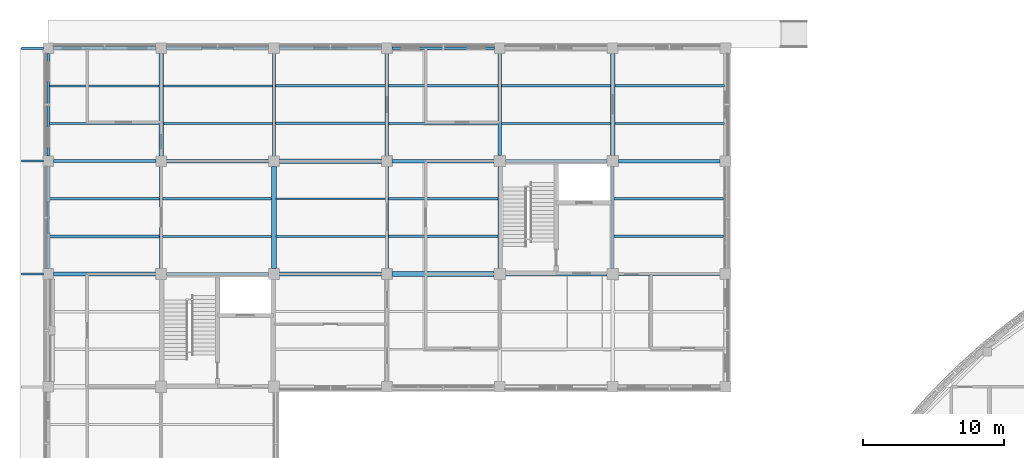
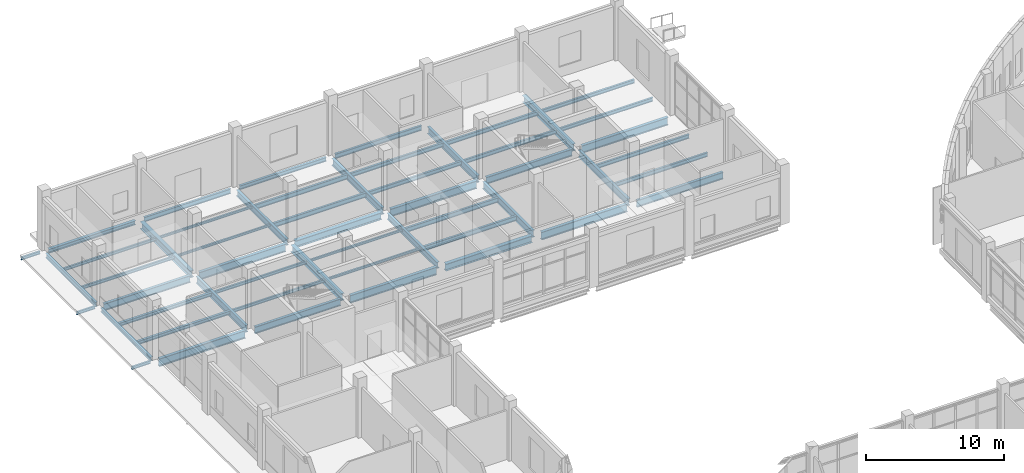
# One storey, part 28 of 105: 53 beams.
"""IFC4 building model written with IfcOpenShell, lengths in metres."""

from ifc_helpers import new_model, si_unit, derived_unit, direction, frame, origin, origin_2d, place, context, subcontext, project, spatial, i_section, extrude, material, material_profile, profile_set, type_object, element, save


model = new_model("IFC4")

# Units and contexts
model_context = context("Model", 3, precision=1e-05, world=origin(), true_north=direction((0.0, 1.0)))
body_context = subcontext(model_context, "Body", "Model", "MODEL_VIEW")
ifc_project = project(units=[si_unit("LENGTHUNIT", "METRE"), si_unit("AREAUNIT", "SQUARE_METRE"), si_unit("VOLUMEUNIT", "CUBIC_METRE"), si_unit("PLANEANGLEUNIT", "RADIAN"), si_unit("MASSUNIT", "GRAM", prefix="KILO"), derived_unit("THERMALTRANSMITTANCEUNIT", [(si_unit("MASSUNIT", "GRAM", prefix="KILO"), 1), (si_unit("TIMEUNIT", "SECOND"), -3), (si_unit("THERMODYNAMICTEMPERATUREUNIT", "KELVIN"), -1)])], contexts=[model_context])

# Site, building, storey
site_placement = place(None, origin())
site = spatial("IfcSite", under=ifc_project, at=site_placement, CompositionType="ELEMENT")
building_placement = place(site_placement, origin())
building = spatial("IfcBuilding", under=site, at=building_placement, Name="Veyamyaing Civic Hall", CompositionType="ELEMENT")
storey_placement = place(building_placement, origin())
storey = spatial("IfcBuildingStorey", under=building, at=storey_placement, Name="L00", CompositionType="ELEMENT", Elevation=0.0)

# Beams
ifc_material = material(Name="Steel ASTM A992", Category="steel")
ifc_material_profile_1 = material_profile(ifc_material, i_section(OverallWidth=0.256103515625, OverallDepth=0.693115234375, WebThickness=0.014404296875, FlangeThickness=0.023681640625, FilletRadius=0.013916015625, at=origin_2d()), Name="W690X170")
ifc_profile_set_1 = profile_set([ifc_material_profile_1], Name="Steel ASTM A992")
beam_type_1 = type_object("IfcBeamType", Name="B-04", PredefinedType="BEAM", material=ifc_profile_set_1)
beam_1_placement = place(storey_placement, frame((0.375, 96.0, -0.62158203125), z_axis=(1.0, 0.0, 0.0), x_axis=(0.0, 1.0, 0.0)))
element("IfcBeam", 1, at=beam_1_placement, inside=storey, type_object=beam_type_1, Name="Girder B-04 L00 Grid N 1-2", PredefinedType="BEAM", context=body_context, shape_type="SweptSolid", body=[
    extrude(i_section(OverallWidth=0.256103515625, OverallDepth=0.693115234375, WebThickness=0.014404296875, FlangeThickness=0.023681640625, FilletRadius=0.013916015625, at=origin_2d()), origin(), (0.0, 0.0, 1.0), 7.22509765625),
])
beam_2_placement = place(storey_placement, frame((32.39990234375, 96.0, -0.62158203125), z_axis=(1.0, 0.0, 0.0), x_axis=(0.0, 1.0, 0.0)))
element("IfcBeam", 2, at=beam_2_placement, inside=storey, type_object=beam_type_1, Name="Girder B-04 L00 Grid N 5-6", PredefinedType="BEAM", context=body_context, shape_type="SweptSolid", body=[
    extrude(i_section(OverallWidth=0.256103515625, OverallDepth=0.693115234375, WebThickness=0.014404296875, FlangeThickness=0.023681640625, FilletRadius=0.013916015625, at=origin_2d()), origin(), (0.0, 0.0, 1.0), 7.2001953125),
])
beam_3_placement = place(storey_placement, frame((24.375, 104.0, -0.62158203125), z_axis=(1.0, 0.0, 0.0), x_axis=(0.0, 1.0, 0.0)))
element("IfcBeam", 3, at=beam_3_placement, inside=storey, type_object=beam_type_1, Name="Girder B-04 L00 Grid P 4-5", PredefinedType="BEAM", context=body_context, shape_type="SweptSolid", body=[
    extrude(i_section(OverallWidth=0.256103515625, OverallDepth=0.693115234375, WebThickness=0.014404296875, FlangeThickness=0.023681640625, FilletRadius=0.013916015625, at=origin_2d()), origin(), (0.0, 0.0, 1.0), 7.22509765625),
])
ifc_material_profile_2 = material_profile(ifc_material, i_section(OverallWidth=0.22998046875, OverallDepth=0.616943359375, WebThickness=0.01318359375, FlangeThickness=0.022216796875, FilletRadius=0.012939453125, at=origin_2d()), Name="W610X140")
ifc_profile_set_2 = profile_set([ifc_material_profile_2], Name="Steel ASTM A992")
beam_type_2 = type_object("IfcBeamType", Name="B-05", PredefinedType="BEAM", material=ifc_profile_set_2)
beam_4_placement = place(storey_placement, frame((8.39990234375, 96.0, -0.58349609375), z_axis=(1.0, 0.0, 0.0), x_axis=(0.0, 1.0, 0.0)))
element("IfcBeam", 4, at=beam_4_placement, inside=storey, type_object=beam_type_2, Name="Girder B-05 L00 Grid N 2-3", PredefinedType="BEAM", context=body_context, shape_type="SweptSolid", body=[
    extrude(i_section(OverallWidth=0.22998046875, OverallDepth=0.616943359375, WebThickness=0.01318359375, FlangeThickness=0.022216796875, FilletRadius=0.012939453125, at=origin_2d()), origin(), (0.0, 0.0, 1.0), 7.2001953125),
])
beam_5_placement = place(storey_placement, frame((40.39990234375, 96.0, -0.58349609375), z_axis=(1.0, 0.0, 0.0), x_axis=(0.0, 1.0, 0.0)))
element("IfcBeam", 5, at=beam_5_placement, inside=storey, type_object=beam_type_2, Name="Girder B-05 L00 Grid N 6-7", PredefinedType="BEAM", context=body_context, shape_type="SweptSolid", body=[
    extrude(i_section(OverallWidth=0.22998046875, OverallDepth=0.616943359375, WebThickness=0.01318359375, FlangeThickness=0.022216796875, FilletRadius=0.012939453125, at=origin_2d()), origin(), (0.0, 0.0, 1.0), 7.22509765625),
])
beam_6_placement = place(storey_placement, frame((0.375, 104.0, -0.58349609375), z_axis=(1.0, 0.0, 0.0), x_axis=(0.0, 1.0, 0.0)))
element("IfcBeam", 6, at=beam_6_placement, inside=storey, type_object=beam_type_2, Name="Girder B-05 L00 Grid P 1-2", PredefinedType="BEAM", context=body_context, shape_type="SweptSolid", body=[
    extrude(i_section(OverallWidth=0.22998046875, OverallDepth=0.616943359375, WebThickness=0.01318359375, FlangeThickness=0.022216796875, FilletRadius=0.012939453125, at=origin_2d()), origin(), (0.0, 0.0, 1.0), 7.25),
])
beam_7_placement = place(storey_placement, frame((32.39990234375, 104.0, -0.58349609375), z_axis=(1.0, 0.0, 0.0), x_axis=(0.0, 1.0, 0.0)))
element("IfcBeam", 7, at=beam_7_placement, inside=storey, type_object=beam_type_2, Name="Girder B-05 L00 Grid P 5-6", PredefinedType="BEAM", context=body_context, shape_type="SweptSolid", body=[
    extrude(i_section(OverallWidth=0.22998046875, OverallDepth=0.616943359375, WebThickness=0.01318359375, FlangeThickness=0.022216796875, FilletRadius=0.012939453125, at=origin_2d()), origin(), (0.0, 0.0, 1.0), 7.2001953125),
])
beam_8_placement = place(storey_placement, frame((24.0, 104.375, -0.58349609375), z_axis=(0.0, 1.0, 0.0), x_axis=(-1.0, 0.0, 0.0)))
element("IfcBeam", 8, at=beam_8_placement, inside=storey, type_object=beam_type_2, Name="Girder B-05 L00 Grid 4 P-Q", PredefinedType="BEAM", context=body_context, shape_type="SweptSolid", body=[
    extrude(i_section(OverallWidth=0.22998046875, OverallDepth=0.616943359375, WebThickness=0.01318359375, FlangeThickness=0.022216796875, FilletRadius=0.012939453125, at=origin_2d()), origin(), (0.0, 0.0, 1.0), 7.25),
])
beam_9_placement = place(storey_placement, frame((32.0, 96.39990234375, -0.58349609375), z_axis=(0.0, 1.0, 0.0), x_axis=(-1.0, 0.0, 0.0)))
element("IfcBeam", 9, at=beam_9_placement, inside=storey, type_object=beam_type_2, Name="Girder B-05 L00 Grid 5 N-P", PredefinedType="BEAM", context=body_context, shape_type="SweptSolid", body=[
    extrude(i_section(OverallWidth=0.22998046875, OverallDepth=0.616943359375, WebThickness=0.01318359375, FlangeThickness=0.022216796875, FilletRadius=0.012939453125, at=origin_2d()), origin(), (0.0, 0.0, 1.0), 7.2001953125),
])
ifc_material_profile_3 = material_profile(ifc_material, i_section(OverallWidth=0.22802734375, OverallDepth=0.60791015625, WebThickness=0.01123046875, FlangeThickness=0.017333984375, FilletRadius=0.012939453125, at=origin_2d()), Name="W610X113")
ifc_profile_set_3 = profile_set([ifc_material_profile_3], Name="Steel ASTM A992")
beam_type_3 = type_object("IfcBeamType", Name="B-06", PredefinedType="BEAM", material=ifc_profile_set_3)
for number, where, z_axis, x_axis, name in (
    (10, (8.0, 96.39990234375, -0.5791015625), (0.0, 1.0, 0.0), (-1.0, 0.0, 0.0), "Girder B-06 L00 Grid 2 N-P"),
    (11, (32.0, 104.39990234375, -0.5791015625), (0.0, 1.0, 0.0), (-1.0, 0.0, 0.0), "Girder B-06 L00 Grid 5 P-Q"),
):
    element("IfcBeam", number, at=place(storey_placement, frame(where, z_axis=z_axis, x_axis=x_axis)), inside=storey, type_object=beam_type_3, Name=name, PredefinedType="BEAM", context=body_context, shape_type="SweptSolid", body=[
        extrude(i_section(OverallWidth=0.22802734375, OverallDepth=0.60791015625, WebThickness=0.01123046875, FlangeThickness=0.017333984375, FilletRadius=0.012939453125, at=origin_2d()), origin(), (0.0, 0.0, 1.0), 7.22509765625),
    ])
beam_10_placement = place(storey_placement, frame((40.0, 96.39990234375, -0.5791015625), z_axis=(0.0, 1.0, 0.0), x_axis=(-1.0, 0.0, 0.0)))
element("IfcBeam", 12, at=beam_10_placement, inside=storey, type_object=beam_type_3, Name="Girder B-06 L00 Grid 6 N-P", PredefinedType="BEAM", context=body_context, shape_type="SweptSolid", body=[
    extrude(i_section(OverallWidth=0.22802734375, OverallDepth=0.60791015625, WebThickness=0.01123046875, FlangeThickness=0.017333984375, FilletRadius=0.012939453125, at=origin_2d()), origin(), (0.0, 0.0, 1.0), 7.2001953125),
])
ifc_material_profile_4 = material_profile(ifc_material, i_section(OverallWidth=0.179931640625, OverallDepth=0.4130859375, WebThickness=0.009765625, FlangeThickness=0.01611328125, FilletRadius=0.010009765625, at=origin_2d()), Name="W410X74")
ifc_profile_set_4 = profile_set([ifc_material_profile_4], Name="Steel ASTM A992")
beam_type_4 = type_object("IfcBeamType", Name="B-10", PredefinedType="SPANDREL", material=ifc_profile_set_4)
beam_11_placement = place(storey_placement, frame((8.375, 112.0, -0.4814453125), z_axis=(1.0, 0.0, 0.0), x_axis=(0.0, 1.0, 0.0)))
element("IfcBeam", 13, at=beam_11_placement, inside=storey, type_object=beam_type_4, Name="Girder B-10 L00 Grid Q 2-3", PredefinedType="SPANDREL", context=body_context, shape_type="SweptSolid", body=[
    extrude(i_section(OverallWidth=0.179931640625, OverallDepth=0.4130859375, WebThickness=0.009765625, FlangeThickness=0.01611328125, FilletRadius=0.010009765625, at=origin_2d()), origin(), (0.0, 0.0, 1.0), 7.25),
])
ifc_material_profile_5 = material_profile(ifc_material, i_section(OverallWidth=0.2041015625, OverallDepth=0.35009765625, WebThickness=0.0078125, FlangeThickness=0.01513671875, FilletRadius=0.010009765625, at=origin_2d()), Name="W360X72")
ifc_profile_set_5 = profile_set([ifc_material_profile_5], Name="Steel ASTM A992")
beam_type_5 = type_object("IfcBeamType", Name="B-11", PredefinedType="SPANDREL", material=ifc_profile_set_5)
for number, where, z_axis, x_axis, name in (
    (14, (16.375, 112.0, -0.449951171875), (1.0, 0.0, 0.0), (0.0, 1.0, 0.0), "Girder B-11 L00 Grid Q 3-4"),
    (15, (0.0, 96.375, -0.449951171875), (0.0, 1.0, 0.0), (-1.0, 0.0, 0.0), "Girder B-11 L00 Grid 1 N-P"),
):
    element("IfcBeam", number, at=place(storey_placement, frame(where, z_axis=z_axis, x_axis=x_axis)), inside=storey, type_object=beam_type_5, Name=name, PredefinedType="SPANDREL", context=body_context, shape_type="SweptSolid", body=[
        extrude(i_section(OverallWidth=0.2041015625, OverallDepth=0.35009765625, WebThickness=0.0078125, FlangeThickness=0.01513671875, FilletRadius=0.010009765625, at=origin_2d()), origin(), (0.0, 0.0, 1.0), 7.25),
    ])
ifc_material_profile_6 = material_profile(ifc_material, i_section(OverallWidth=0.14599609375, OverallDepth=0.258056640625, WebThickness=0.006103515625, FlangeThickness=0.009033203125, FilletRadius=0.010009765625, at=origin_2d()), Name="W250X33")
ifc_profile_set_6 = profile_set([ifc_material_profile_6], Name="Steel ASTM A992")
beam_type_6 = type_object("IfcBeamType", Name="B-12", PredefinedType="BEAM", material=ifc_profile_set_6)
for number, where, z_axis, x_axis, name in (
    (16, (-1.89990234375, 96.0, -0.34912109375), (1.0, 0.0, 0.0), (0.0, 1.0, 0.0), "Colonnade deck transverse beam B-12 W.12"),
    (17, (-1.89990234375, 104.0, -0.34912109375), (1.0, 0.0, 0.0), (0.0, 1.0, 0.0), "Colonnade deck transverse beam B-12 W.13"),
    (18, (-1.89990234375, 112.0, -0.34912109375), (1.0, 0.0, 0.0), (0.0, 1.0, 0.0), "Colonnade deck transverse beam B-12 W.14"),
):
    element("IfcBeam", number, at=place(storey_placement, frame(where, z_axis=z_axis, x_axis=x_axis)), inside=storey, type_object=beam_type_6, Name=name, PredefinedType="BEAM", context=body_context, shape_type="SweptSolid", body=[
        extrude(i_section(OverallWidth=0.14599609375, OverallDepth=0.258056640625, WebThickness=0.006103515625, FlangeThickness=0.009033203125, FilletRadius=0.010009765625, at=origin_2d()), origin(), (0.0, 0.0, 1.0), 1.579833984375),
    ])
ifc_material_profile_7 = material_profile(ifc_material, i_section(OverallWidth=0.25390625, OverallDepth=0.68408203125, WebThickness=0.012451171875, FlangeThickness=0.01904296875, FilletRadius=0.013916015625, at=origin_2d()), Name="W690X140")
ifc_profile_set_7 = profile_set([ifc_material_profile_7], Name="Steel ASTM A992")
beam_type_7 = type_object("IfcBeamType", Name="B-14", PredefinedType="BEAM", material=ifc_profile_set_7)
beam_12_placement = place(storey_placement, frame((16.39990234375, 96.0, -0.616943359375), z_axis=(1.0, 0.0, 0.0), x_axis=(0.0, 1.0, 0.0)))
element("IfcBeam", 19, at=beam_12_placement, inside=storey, type_object=beam_type_7, Name="Girder B-14 L00 Grid N 3-4", PredefinedType="BEAM", context=body_context, shape_type="SweptSolid", body=[
    extrude(i_section(OverallWidth=0.25390625, OverallDepth=0.68408203125, WebThickness=0.012451171875, FlangeThickness=0.01904296875, FilletRadius=0.013916015625, at=origin_2d()), origin(), (0.0, 0.0, 1.0), 7.22509765625),
])
beam_13_placement = place(storey_placement, frame((8.375, 104.0, -0.616943359375), z_axis=(1.0, 0.0, 0.0), x_axis=(0.0, 1.0, 0.0)))
element("IfcBeam", 20, at=beam_13_placement, inside=storey, type_object=beam_type_7, Name="Girder B-14 L00 Grid P 2-3", PredefinedType="BEAM", context=body_context, shape_type="SweptSolid", body=[
    extrude(i_section(OverallWidth=0.25390625, OverallDepth=0.68408203125, WebThickness=0.012451171875, FlangeThickness=0.01904296875, FilletRadius=0.013916015625, at=origin_2d()), origin(), (0.0, 0.0, 1.0), 7.25),
])
beam_14_placement = place(storey_placement, frame((40.39990234375, 104.0, -0.616943359375), z_axis=(1.0, 0.0, 0.0), x_axis=(0.0, 1.0, 0.0)))
element("IfcBeam", 21, at=beam_14_placement, inside=storey, type_object=beam_type_7, Name="Girder B-14 L00 Grid P 6-7", PredefinedType="BEAM", context=body_context, shape_type="SweptSolid", body=[
    extrude(i_section(OverallWidth=0.25390625, OverallDepth=0.68408203125, WebThickness=0.012451171875, FlangeThickness=0.01904296875, FilletRadius=0.013916015625, at=origin_2d()), origin(), (0.0, 0.0, 1.0), 7.22509765625),
])
ifc_material_profile_8 = material_profile(ifc_material, i_section(OverallWidth=0.324951171875, OverallDepth=0.615966796875, WebThickness=0.013916015625, FlangeThickness=0.021484375, FilletRadius=0.013916015625, at=origin_2d()), Name="W610X174")
ifc_profile_set_8 = profile_set([ifc_material_profile_8], Name="Steel ASTM A992")
beam_type_8 = type_object("IfcBeamType", Name="B-15", PredefinedType="BEAM", material=ifc_profile_set_8)
beam_15_placement = place(storey_placement, frame((24.375, 96.0, -0.5830078125), z_axis=(1.0, 0.0, 0.0), x_axis=(0.0, 1.0, 0.0)))
element("IfcBeam", 22, at=beam_15_placement, inside=storey, type_object=beam_type_8, Name="Girder B-15 L00 Grid N 4-5", PredefinedType="BEAM", context=body_context, shape_type="SweptSolid", body=[
    extrude(i_section(OverallWidth=0.324951171875, OverallDepth=0.615966796875, WebThickness=0.013916015625, FlangeThickness=0.021484375, FilletRadius=0.013916015625, at=origin_2d()), origin(), (0.0, 0.0, 1.0), 7.22509765625),
])
for number, where, z_axis, x_axis, name in (
    (23, (16.375, 104.0, -0.5830078125), (1.0, 0.0, 0.0), (0.0, 1.0, 0.0), "Girder B-15 L00 Grid P 3-4"),
    (24, (8.0, 104.375, -0.5830078125), (0.0, 1.0, 0.0), (-1.0, 0.0, 0.0), "Girder B-15 L00 Grid 2 P-Q"),
):
    element("IfcBeam", number, at=place(storey_placement, frame(where, z_axis=z_axis, x_axis=x_axis)), inside=storey, type_object=beam_type_8, Name=name, PredefinedType="BEAM", context=body_context, shape_type="SweptSolid", body=[
        extrude(i_section(OverallWidth=0.324951171875, OverallDepth=0.615966796875, WebThickness=0.013916015625, FlangeThickness=0.021484375, FilletRadius=0.013916015625, at=origin_2d()), origin(), (0.0, 0.0, 1.0), 7.25),
    ])
for number, where, z_axis, x_axis, name in (
    (25, (16.0, 96.39990234375, -0.5830078125), (0.0, 1.0, 0.0), (-1.0, 0.0, 0.0), "Girder B-15 L00 Grid 3 N-P"),
    (26, (40.0, 104.39990234375, -0.5830078125), (0.0, 1.0, 0.0), (-1.0, 0.0, 0.0), "Girder B-15 L00 Grid 6 P-Q"),
):
    element("IfcBeam", number, at=place(storey_placement, frame(where, z_axis=z_axis, x_axis=x_axis)), inside=storey, type_object=beam_type_8, Name=name, PredefinedType="BEAM", context=body_context, shape_type="SweptSolid", body=[
        extrude(i_section(OverallWidth=0.324951171875, OverallDepth=0.615966796875, WebThickness=0.013916015625, FlangeThickness=0.021484375, FilletRadius=0.013916015625, at=origin_2d()), origin(), (0.0, 0.0, 1.0), 7.22509765625),
    ])
ifc_material_profile_9 = material_profile(ifc_material, i_section(OverallWidth=0.214111328125, OverallDepth=0.549072265625, WebThickness=0.0146484375, FlangeThickness=0.023681640625, FilletRadius=0.011962890625, at=origin_2d()), Name="W530X138")
ifc_profile_set_9 = profile_set([ifc_material_profile_9], Name="Steel ASTM A992")
beam_type_9 = type_object("IfcBeamType", Name="B-16", PredefinedType="BEAM", material=ifc_profile_set_9)
for number, where, z_axis, x_axis, name in (
    (27, (16.0, 104.375, -0.549560546875), (0.0, 1.0, 0.0), (-1.0, 0.0, 0.0), "Girder B-16 L00 Grid 3 P-Q"),
    (28, (24.0, 96.375, -0.549560546875), (0.0, 1.0, 0.0), (-1.0, 0.0, 0.0), "Girder B-16 L00 Grid 4 N-P"),
):
    element("IfcBeam", number, at=place(storey_placement, frame(where, z_axis=z_axis, x_axis=x_axis)), inside=storey, type_object=beam_type_9, Name=name, PredefinedType="BEAM", context=body_context, shape_type="SweptSolid", body=[
        extrude(i_section(OverallWidth=0.214111328125, OverallDepth=0.549072265625, WebThickness=0.0146484375, FlangeThickness=0.023681640625, FilletRadius=0.011962890625, at=origin_2d()), origin(), (0.0, 0.0, 1.0), 7.25),
    ])
ifc_material_profile_10 = material_profile(ifc_material, i_section(OverallWidth=0.180908203125, OverallDepth=0.4169921875, WebThickness=0.010986328125, FlangeThickness=0.018310546875, FilletRadius=0.010009765625, at=origin_2d()), Name="W410X85")
ifc_profile_set_10 = profile_set([ifc_material_profile_10], Name="Steel ASTM A992")
beam_type_10 = type_object("IfcBeamType", Name="B-19", PredefinedType="SPANDREL", material=ifc_profile_set_10)
for number, where, z_axis, x_axis, name in (
    (29, (24.375, 112.0, -0.4833984375), (1.0, 0.0, 0.0), (0.0, 1.0, 0.0), "Girder B-19 L00 Grid Q 4-5"),
    (30, (0.0, 104.375, -0.4833984375), (0.0, 1.0, 0.0), (-1.0, 0.0, 0.0), "Girder B-19 L00 Grid 1 P-Q"),
):
    element("IfcBeam", number, at=place(storey_placement, frame(where, z_axis=z_axis, x_axis=x_axis)), inside=storey, type_object=beam_type_10, Name=name, PredefinedType="SPANDREL", context=body_context, shape_type="SweptSolid", body=[
        extrude(i_section(OverallWidth=0.180908203125, OverallDepth=0.4169921875, WebThickness=0.010986328125, FlangeThickness=0.018310546875, FilletRadius=0.010009765625, at=origin_2d()), origin(), (0.0, 0.0, 1.0), 7.25),
    ])
ifc_material_profile_11 = material_profile(ifc_material, i_section(OverallWidth=0.25390625, OverallDepth=0.35302734375, WebThickness=0.009521484375, FlangeThickness=0.016357421875, FilletRadius=0.011962890625, at=origin_2d()), Name="W360X91")
ifc_profile_set_11 = profile_set([ifc_material_profile_11], Name="Steel ASTM A992")
beam_type_11 = type_object("IfcBeamType", Name="B-20", PredefinedType="SPANDREL", material=ifc_profile_set_11)
beam_16_placement = place(storey_placement, frame((0.375, 112.0, -0.451416015625), z_axis=(1.0, 0.0, 0.0), x_axis=(0.0, 1.0, 0.0)))
element("IfcBeam", 31, at=beam_16_placement, inside=storey, type_object=beam_type_11, Name="Girder B-20 L00 Grid Q 1-2", PredefinedType="SPANDREL", context=body_context, shape_type="SweptSolid", body=[
    extrude(i_section(OverallWidth=0.25390625, OverallDepth=0.35302734375, WebThickness=0.009521484375, FlangeThickness=0.016357421875, FilletRadius=0.011962890625, at=origin_2d()), origin(), (0.0, 0.0, 1.0), 7.25),
])
ifc_material_profile_12 = material_profile(ifc_material, i_section(OverallWidth=0.177978515625, OverallDepth=0.406982421875, WebThickness=0.0078125, FlangeThickness=0.0126953125, FilletRadius=0.010009765625, at=origin_2d()), Name="W410X60")
ifc_profile_set_12 = profile_set([ifc_material_profile_12], Name="Steel ASTM A992")
beam_type_12 = type_object("IfcBeamType", Name="J-01", PredefinedType="JOIST", material=ifc_profile_set_12)
for number, where, z_axis, x_axis, name in (
    (32, (16.10498046875, 106.666748046875, -0.478515625), (1.0, 0.0, 0.0), (0.0, 1.0, 0.0), "Composite floor joist J-01 L00 3.14.1"),
    (33, (16.10498046875, 109.333251953125, -0.478515625), (1.0, 0.0, 0.0), (0.0, 1.0, 0.0), "Composite floor joist J-01 L00 3.14.2"),
    (34, (24.10498046875, 98.666748046875, -0.478515625), (1.0, 0.0, 0.0), (0.0, 1.0, 0.0), "Composite floor joist J-01 L00 4.13.1"),
    (35, (24.10498046875, 101.333251953125, -0.478515625), (1.0, 0.0, 0.0), (0.0, 1.0, 0.0), "Composite floor joist J-01 L00 4.13.2"),
):
    element("IfcBeam", number, at=place(storey_placement, frame(where, z_axis=z_axis, x_axis=x_axis)), inside=storey, type_object=beam_type_12, Name=name, PredefinedType="JOIST", context=body_context, shape_type="SweptSolid", body=[
        extrude(i_section(OverallWidth=0.177978515625, OverallDepth=0.406982421875, WebThickness=0.0078125, FlangeThickness=0.0126953125, FilletRadius=0.010009765625, at=origin_2d()), origin(), (0.0, 0.0, 1.0), 7.781982421875),
    ])
ifc_material_profile_13 = material_profile(ifc_material, i_section(OverallWidth=0.172119140625, OverallDepth=0.35791015625, WebThickness=0.0078125, FlangeThickness=0.01318359375, FilletRadius=0.010009765625, at=origin_2d()), Name="W360X57")
ifc_profile_set_13 = profile_set([ifc_material_profile_13], Name="Steel ASTM A992")
beam_type_13 = type_object("IfcBeamType", Name="J-02", PredefinedType="JOIST", material=ifc_profile_set_13)
for number, where, z_axis, x_axis, name in (
    (36, (24.113037109375, 106.666748046875, -0.4541015625), (1.0, 0.0, 0.0), (0.0, 1.0, 0.0), "Composite floor joist J-02 L00 4.14.1"),
    (37, (24.113037109375, 109.333251953125, -0.4541015625), (1.0, 0.0, 0.0), (0.0, 1.0, 0.0), "Composite floor joist J-02 L00 4.14.2"),
):
    element("IfcBeam", number, at=place(storey_placement, frame(where, z_axis=z_axis, x_axis=x_axis)), inside=storey, type_object=beam_type_13, Name=name, PredefinedType="JOIST", context=body_context, shape_type="SweptSolid", body=[
        extrude(i_section(OverallWidth=0.172119140625, OverallDepth=0.35791015625, WebThickness=0.0078125, FlangeThickness=0.01318359375, FilletRadius=0.010009765625, at=origin_2d()), origin(), (0.0, 0.0, 1.0), 7.77490234375),
    ])
ifc_material_profile_14 = material_profile(ifc_material, i_section(OverallWidth=0.1708984375, OverallDepth=0.35205078125, WebThickness=0.0068359375, FlangeThickness=0.009765625, FilletRadius=0.010009765625, at=origin_2d()), Name="W360X44")
ifc_profile_set_14 = profile_set([ifc_material_profile_14], Name="Steel ASTM A992")
beam_type_14 = type_object("IfcBeamType", Name="J-03", PredefinedType="JOIST", material=ifc_profile_set_14)
for number, where, z_axis, x_axis, name in (
    (38, (32.112060546875, 106.666748046875, -0.450927734375), (1.0, 0.0, 0.0), (0.0, 1.0, 0.0), "Composite floor joist J-03 L00 5.14.1"),
    (39, (32.112060546875, 109.333251953125, -0.450927734375), (1.0, 0.0, 0.0), (0.0, 1.0, 0.0), "Composite floor joist J-03 L00 5.14.2"),
):
    element("IfcBeam", number, at=place(storey_placement, frame(where, z_axis=z_axis, x_axis=x_axis)), inside=storey, type_object=beam_type_14, Name=name, PredefinedType="JOIST", context=body_context, shape_type="SweptSolid", body=[
        extrude(i_section(OverallWidth=0.1708984375, OverallDepth=0.35205078125, WebThickness=0.0068359375, FlangeThickness=0.009765625, FilletRadius=0.010009765625, at=origin_2d()), origin(), (0.0, 0.0, 1.0), 7.7275390625),
    ])
for number, where, z_axis, x_axis, name in (
    (40, (40.112060546875, 98.666748046875, -0.450927734375), (1.0, 0.0, 0.0), (0.0, 1.0, 0.0), "Composite floor joist J-03 L00 6.13.1"),
    (41, (40.112060546875, 101.333251953125, -0.450927734375), (1.0, 0.0, 0.0), (0.0, 1.0, 0.0), "Composite floor joist J-03 L00 6.13.2"),
):
    element("IfcBeam", number, at=place(storey_placement, frame(where, z_axis=z_axis, x_axis=x_axis)), inside=storey, type_object=beam_type_14, Name=name, PredefinedType="JOIST", context=body_context, shape_type="SweptSolid", body=[
        extrude(i_section(OverallWidth=0.1708984375, OverallDepth=0.35205078125, WebThickness=0.0068359375, FlangeThickness=0.009765625, FilletRadius=0.010009765625, at=origin_2d()), origin(), (0.0, 0.0, 1.0), 7.762939453125),
    ])
ifc_material_profile_15 = material_profile(ifc_material, i_section(OverallWidth=0.1669921875, OverallDepth=0.318115234375, WebThickness=0.007568359375, FlangeThickness=0.01318359375, FilletRadius=0.010009765625, at=origin_2d()), Name="W310X52")
ifc_profile_set_15 = profile_set([ifc_material_profile_15], Name="Steel ASTM A992")
beam_type_15 = type_object("IfcBeamType", Name="J-04", PredefinedType="JOIST", material=ifc_profile_set_15)
for number, where, z_axis, x_axis, name in (
    (42, (40.160400390625, 106.666748046875, -0.43408203125), (1.0, 0.0, 0.0), (0.0, 1.0, 0.0), "Composite floor joist J-04 L00 6.14.1"),
    (43, (40.160400390625, 109.333251953125, -0.43408203125), (1.0, 0.0, 0.0), (0.0, 1.0, 0.0), "Composite floor joist J-04 L00 6.14.2"),
):
    element("IfcBeam", number, at=place(storey_placement, frame(where, z_axis=z_axis, x_axis=x_axis)), inside=storey, type_object=beam_type_15, Name=name, PredefinedType="JOIST", context=body_context, shape_type="SweptSolid", body=[
        extrude(i_section(OverallWidth=0.1669921875, OverallDepth=0.318115234375, WebThickness=0.007568359375, FlangeThickness=0.01318359375, FilletRadius=0.010009765625, at=origin_2d()), origin(), (0.0, 0.0, 1.0), 7.751708984375),
    ])
ifc_material_profile_16 = material_profile(ifc_material, i_section(OverallWidth=0.2041015625, OverallDepth=0.305908203125, WebThickness=0.008544921875, FlangeThickness=0.0146484375, FilletRadius=0.010009765625, at=origin_2d()), Name="W310X67")
ifc_profile_set_16 = profile_set([ifc_material_profile_16], Name="Steel ASTM A992")
beam_type_16 = type_object("IfcBeamType", Name="J-06", PredefinedType="JOIST", material=ifc_profile_set_16)
for number, where, z_axis, x_axis, name in (
    (44, (0.10009765625, 98.666748046875, -0.427978515625), (1.0, 0.0, 0.0), (0.0, 1.0, 0.0), "Composite floor joist J-06 L00 1.13.1"),
    (45, (0.10009765625, 101.333251953125, -0.427978515625), (1.0, 0.0, 0.0), (0.0, 1.0, 0.0), "Composite floor joist J-06 L00 1.13.2"),
):
    element("IfcBeam", number, at=place(storey_placement, frame(where, z_axis=z_axis, x_axis=x_axis)), inside=storey, type_object=beam_type_16, Name=name, PredefinedType="JOIST", context=body_context, shape_type="SweptSolid", body=[
        extrude(i_section(OverallWidth=0.2041015625, OverallDepth=0.305908203125, WebThickness=0.008544921875, FlangeThickness=0.0146484375, FilletRadius=0.010009765625, at=origin_2d()), origin(), (0.0, 0.0, 1.0), 7.787841796875),
    ])
ifc_material_profile_17 = material_profile(ifc_material, i_section(OverallWidth=0.14794921875, OverallDepth=0.26611328125, WebThickness=0.007568359375, FlangeThickness=0.012939453125, FilletRadius=0.010009765625, at=origin_2d()), Name="W250X45")
ifc_profile_set_17 = profile_set([ifc_material_profile_17], Name="Steel ASTM A992")
beam_type_17 = type_object("IfcBeamType", Name="J-07", PredefinedType="JOIST", material=ifc_profile_set_17)
for number, where, z_axis, x_axis, name in (
    (46, (0.08837890625, 106.666748046875, -0.407958984375), (1.0, 0.0, 0.0), (0.0, 1.0, 0.0), "Composite floor joist J-07 L00 1.14.1"),
    (47, (0.08837890625, 109.333251953125, -0.407958984375), (1.0, 0.0, 0.0), (0.0, 1.0, 0.0), "Composite floor joist J-07 L00 1.14.2"),
):
    element("IfcBeam", number, at=place(storey_placement, frame(where, z_axis=z_axis, x_axis=x_axis)), inside=storey, type_object=beam_type_17, Name=name, PredefinedType="JOIST", context=body_context, shape_type="SweptSolid", body=[
        extrude(i_section(OverallWidth=0.14794921875, OverallDepth=0.26611328125, WebThickness=0.007568359375, FlangeThickness=0.012939453125, FilletRadius=0.010009765625, at=origin_2d()), origin(), (0.0, 0.0, 1.0), 7.751220703125),
    ])
for number, where, z_axis, x_axis, name in (
    (48, (8.112060546875, 98.666748046875, -0.407958984375), (1.0, 0.0, 0.0), (0.0, 1.0, 0.0), "Composite floor joist J-07 L00 2.13.1"),
    (49, (8.112060546875, 101.333251953125, -0.407958984375), (1.0, 0.0, 0.0), (0.0, 1.0, 0.0), "Composite floor joist J-07 L00 2.13.2"),
):
    element("IfcBeam", number, at=place(storey_placement, frame(where, z_axis=z_axis, x_axis=x_axis)), inside=storey, type_object=beam_type_17, Name=name, PredefinedType="JOIST", context=body_context, shape_type="SweptSolid", body=[
        extrude(i_section(OverallWidth=0.14794921875, OverallDepth=0.26611328125, WebThickness=0.007568359375, FlangeThickness=0.012939453125, FilletRadius=0.010009765625, at=origin_2d()), origin(), (0.0, 0.0, 1.0), 7.7275390625),
    ])
ifc_material_profile_18 = material_profile(ifc_material, i_section(OverallWidth=0.133056640625, OverallDepth=0.20703125, WebThickness=0.005859375, FlangeThickness=0.00830078125, FilletRadius=0.010009765625, at=origin_2d()), Name="W200X27")
ifc_profile_set_18 = profile_set([ifc_material_profile_18], Name="Steel ASTM A992")
beam_type_18 = type_object("IfcBeamType", Name="J-08", PredefinedType="JOIST", material=ifc_profile_set_18)
for number, where, z_axis, x_axis, name in (
    (50, (8.160400390625, 106.666748046875, -0.37841796875), (1.0, 0.0, 0.0), (0.0, 1.0, 0.0), "Composite floor joist J-08 L00 2.14.1"),
    (51, (8.160400390625, 109.333251953125, -0.37841796875), (1.0, 0.0, 0.0), (0.0, 1.0, 0.0), "Composite floor joist J-08 L00 2.14.2"),
    (52, (16.160400390625, 98.666748046875, -0.37841796875), (1.0, 0.0, 0.0), (0.0, 1.0, 0.0), "Composite floor joist J-08 L00 3.13.1"),
    (53, (16.160400390625, 101.333251953125, -0.37841796875), (1.0, 0.0, 0.0), (0.0, 1.0, 0.0), "Composite floor joist J-08 L00 3.13.2"),
):
    element("IfcBeam", number, at=place(storey_placement, frame(where, z_axis=z_axis, x_axis=x_axis)), inside=storey, type_object=beam_type_18, Name=name, PredefinedType="JOIST", context=body_context, shape_type="SweptSolid", body=[
        extrude(i_section(OverallWidth=0.133056640625, OverallDepth=0.20703125, WebThickness=0.005859375, FlangeThickness=0.00830078125, FilletRadius=0.010009765625, at=origin_2d()), origin(), (0.0, 0.0, 1.0), 7.734619140625),
    ])

save(model, "model.ifc")
